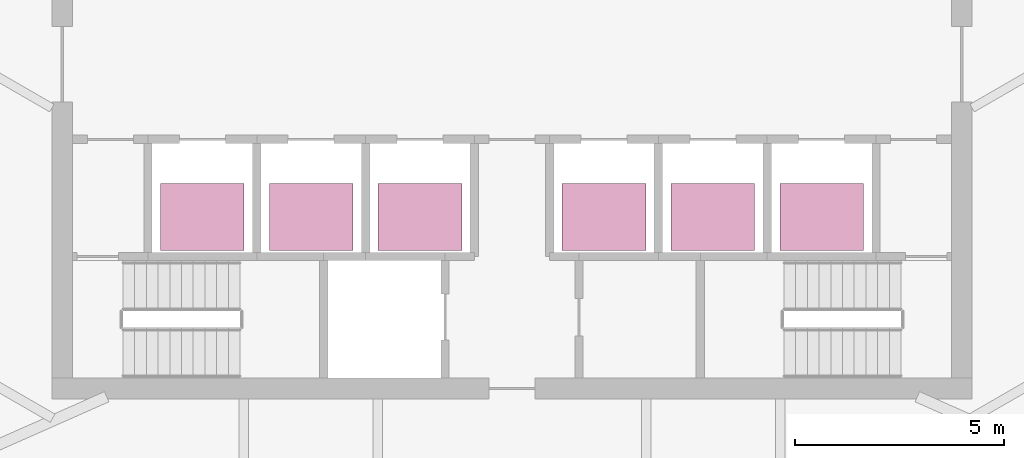
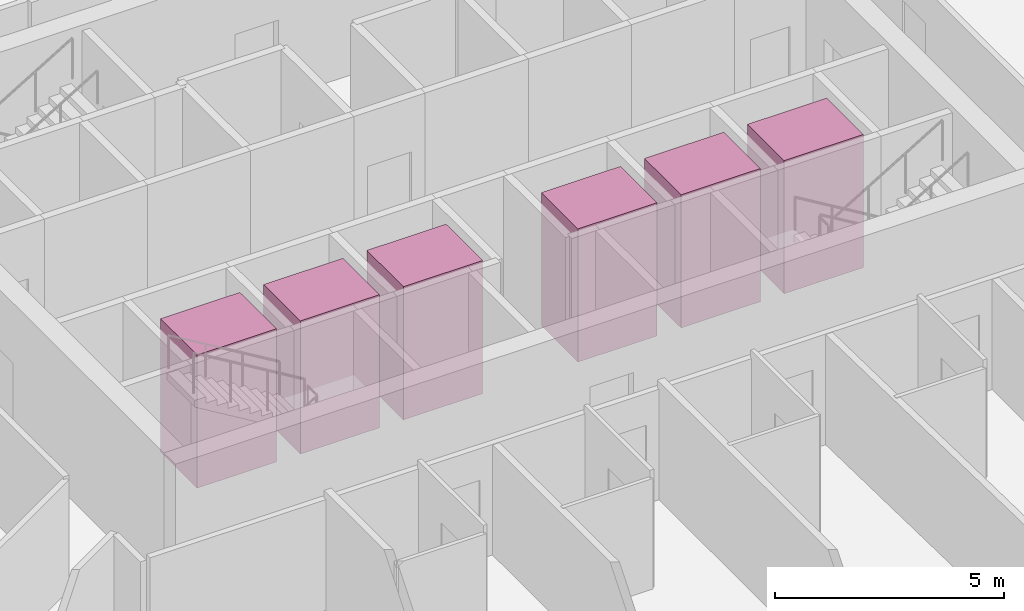
# One storey, part 27 of 27: 6 transport elements.
"""IFC4 building model written with IfcOpenShell, lengths in metres."""

from ifc_helpers import new_model, si_unit, direction, frame, origin, origin_2d, place, context, subcontext, project, spatial, rectangle, extrude, material, type_object, element, save


model = new_model("IFC4")

# Units and contexts
model_context = context("Model", 3, precision=1e-05, world=origin(), true_north=direction((0.0, 1.0)))
body_context = subcontext(model_context, "Body", "Model", "MODEL_VIEW")
ifc_project = project(units=[si_unit("LENGTHUNIT", "METRE"), si_unit("AREAUNIT", "SQUARE_METRE"), si_unit("VOLUMEUNIT", "CUBIC_METRE"), si_unit("PLANEANGLEUNIT", "RADIAN"), si_unit("MASSUNIT", "GRAM", prefix="KILO")], contexts=[model_context])

# Site, building, storey
site_placement = place(None, origin())
site = spatial("IfcSite", under=ifc_project, at=site_placement, CompositionType="ELEMENT")
building_placement = place(site_placement, origin())
building = spatial("IfcBuilding", under=site, at=building_placement, Name="Sierra Prisma Convention Tower", CompositionType="ELEMENT")
storey_placement = place(building_placement, frame((0.0, 0.0, 48.0)))
storey = spatial("IfcBuildingStorey", under=building, at=storey_placement, Name="L07", CompositionType="ELEMENT", Elevation=48.0)

# Transport elements
ifc_material = material(Name="Stainless steel", Category="steel")
transport_element_type = type_object("IfcTransportElementType", Name="Lift car hotel 2000x1600 1600 kg", PredefinedType="ELEVATOR", material=ifc_material)
for number, where, z_axis, x_axis, name in (
    (1, (-7.39990234375, -3.64990234375, 0.0), (0.0, 0.0, 1.0), (1.0, 0.0, 0.0), "Lift HT1"),
    (2, (-4.800048828125, -3.64990234375, 0.0), (0.0, 0.0, 1.0), (1.0, 0.0, 0.0), "Lift HT2"),
    (3, (-2.199951171875, -3.64990234375, 0.0), (0.0, 0.0, 1.0), (1.0, 0.0, 0.0), "Lift HT3"),
    (4, (2.199951171875, -3.64990234375, 0.0), (0.0, 0.0, 1.0), (1.0, 0.0, 0.0), "Lift HT4"),
    (5, (4.800048828125, -3.64990234375, 0.0), (0.0, 0.0, 1.0), (1.0, 0.0, 0.0), "Lift HT5"),
    (6, (7.39990234375, -3.64990234375, 0.0), (0.0, 0.0, 1.0), (1.0, 0.0, 0.0), "Lift HT6"),
):
    element("IfcTransportElement", number, at=place(storey_placement, frame(where, z_axis=z_axis, x_axis=x_axis)), inside=storey, type_object=transport_element_type, Name=name, PredefinedType="ELEVATOR", context=body_context, shape_type="SweptSolid", body=[
        extrude(rectangle(XDim=2.0, YDim=1.60009765625, at=origin_2d()), origin(), (0.0, 0.0, 1.0), 3.550048828125),
    ])

save(model, "model.ifc")
